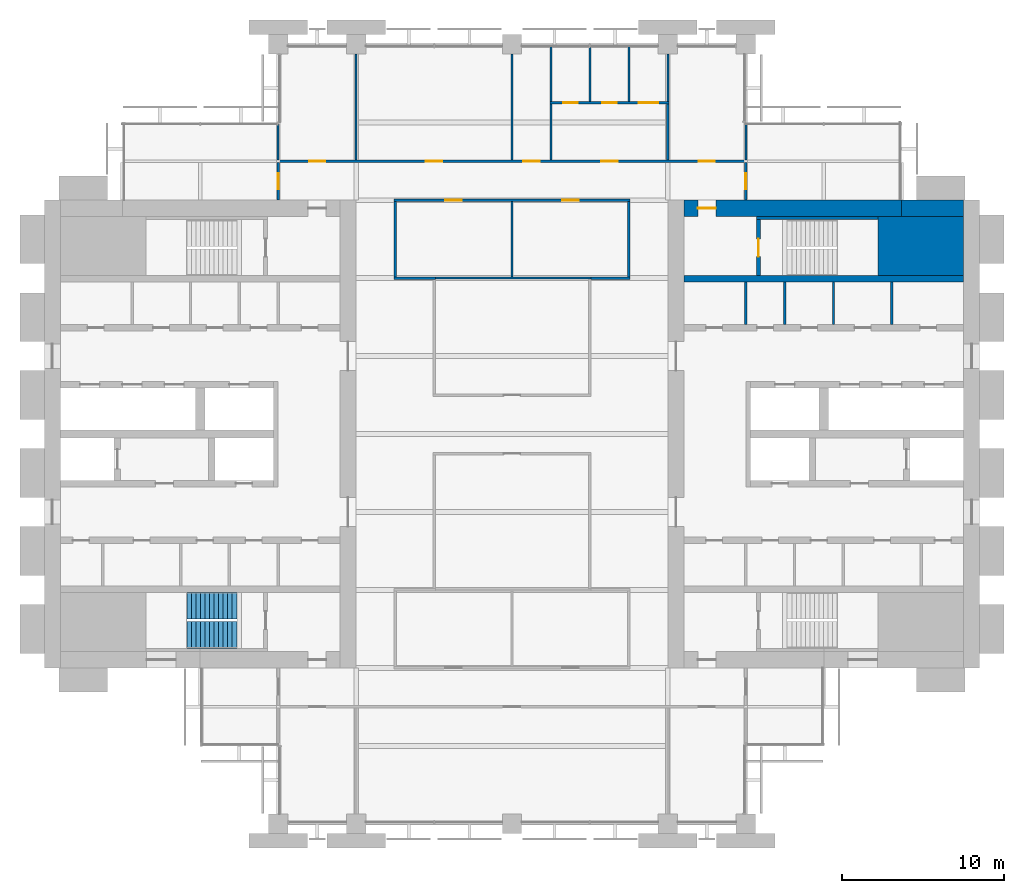
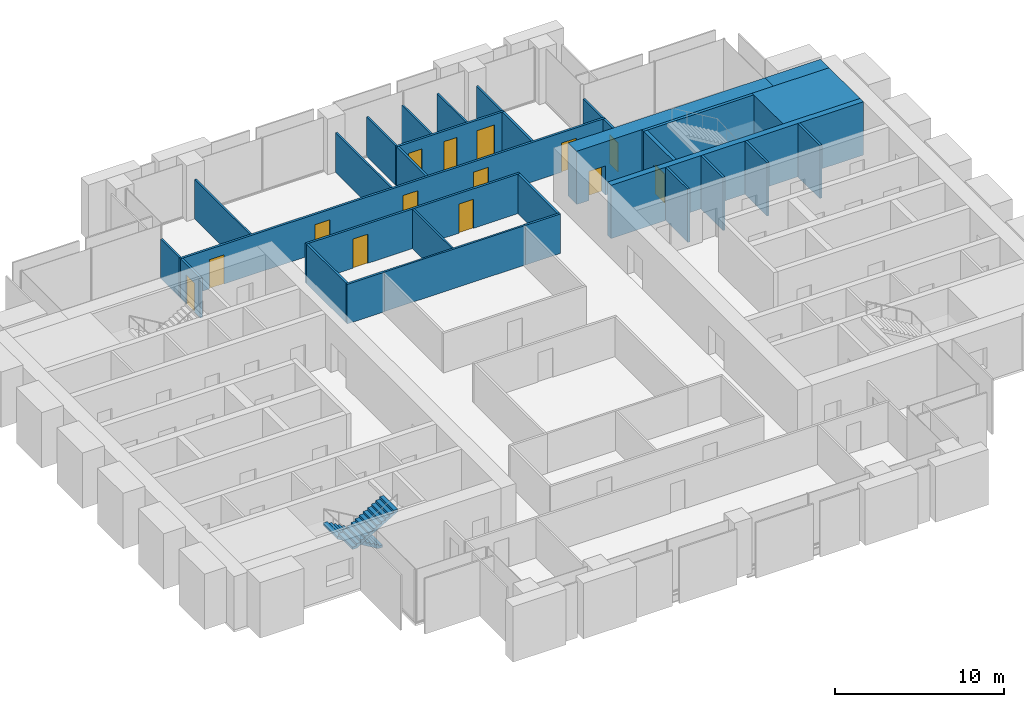
# One storey, part 12 of 14: 31 walls, 14 doors, 2 stair flights, 14 openings, 1 element without a shape of its own.
"""IFC4 building model written with IfcOpenShell, lengths in metres."""

from ifc_helpers import new_model, si_unit, direction, frame, frame_2d, origin, place, context, subcontext, project, spatial, polyline, rectangle, outline, extrude, material, layer, layer_set, type_object, element, fill, aggregate, save


model = new_model("IFC4")

# Units and contexts
model_context = context("Model", 3, precision=1e-05, world=origin(), true_north=direction((0.0, 1.0)))
body_context = subcontext(model_context, "Body", "Model", "MODEL_VIEW")
ifc_project = project(units=[si_unit("LENGTHUNIT", "METRE"), si_unit("AREAUNIT", "SQUARE_METRE"), si_unit("VOLUMEUNIT", "CUBIC_METRE"), si_unit("PLANEANGLEUNIT", "RADIAN"), si_unit("MASSUNIT", "GRAM", prefix="KILO")], contexts=[model_context])

# Site, building, storey
site_placement = place(None, origin())
site = spatial("IfcSite", under=ifc_project, at=site_placement, CompositionType="ELEMENT")
building_placement = place(site_placement, origin())
building = spatial("IfcBuilding", under=site, at=building_placement, Name="Baori Bourse Tower", CompositionType="ELEMENT")
storey_placement = place(building_placement, frame((0.0, 0.0, 124.10009765625)))
storey = spatial("IfcBuildingStorey", under=building, at=storey_placement, Name="L26", CompositionType="ELEMENT", Elevation=124.10009765625)

# Walls
ifc_material_1 = material(Name="Concrete f'c 60 MPa", Category="concrete")
wall_type_1 = type_object("IfcWallType", Name="Core corner block f'c 60", PredefinedType="SHEAR", material=ifc_material_1)
wall_1_placement = place(storey_placement, frame((51.35009765625, 35.574951171875, 0.0), z_axis=(0.0, 0.0, 1.0), x_axis=(1.0, 0.0, 0.0)))
element("IfcWall", 1, at=wall_1_placement, inside=storey, type_object=wall_type_1, Name="Core wall E28", PredefinedType="SHEAR", context=body_context, shape_type="SweptSolid", body=[
    extrude(rectangle(XDim=5.25, YDim=3.64990234375, at=frame_2d((2.625, 0.0))), origin(), (0.0, 0.0, 1.0), 3.83984375),
])
ifc_material_2 = material(Name="Blockwork partition", Category="masonry")
ifc_layer_1 = layer(ifc_material_2, 0.14990234375)
ifc_layer_set_1 = layer_set([ifc_layer_1], Name="Core partition 150")
wall_type_2 = type_object("IfcWallType", Name="Core partition 150", PredefinedType="PARTITIONING", material=ifc_layer_set_1)
for number, where, z_axis, x_axis, name in (
    (2, (52.199951171875, 30.75, 0.0), (0.0, 0.0, 1.0), (0.0, 1.0, 0.0), "Partition wall E23"),
    (3, (48.60009765625, 30.75, 0.0), (0.0, 0.0, 1.0), (0.0, 1.0, 0.0), "Partition wall E24"),
    (4, (45.60009765625, 30.75, 0.0), (0.0, 0.0, 1.0), (0.0, 1.0, 0.0), "Partition wall E25"),
    (5, (43.199951171875, 30.75, 0.0), (0.0, 0.0, 1.0), (0.0, 1.0, 0.0), "Partition wall E26"),
):
    element("IfcWall", number, at=place(storey_placement, frame(where, z_axis=z_axis, x_axis=x_axis)), inside=storey, type_object=wall_type_2, Name=name, PredefinedType="PARTITIONING", context=body_context, shape_type="SweptSolid", body=[
        extrude(rectangle(XDim=2.60009765625, YDim=0.14990234375, at=frame_2d((1.300048828125, 0.0))), origin(), (0.0, 0.0, 1.0), 3.83984375),
    ])
ifc_material_3 = material(Name="Concrete f'c 60 MPa", Category="concrete")
ifc_layer_2 = layer(ifc_material_3, 1.0)
ifc_layer_set_2 = layer_set([ifc_layer_2], Name="Core wall 1000 f'c 60")
wall_type_3 = type_object("IfcWallType", Name="Core wall 1000 f'c 60", PredefinedType="SHEAR", material=ifc_layer_set_2)
wall_2_placement = place(storey_placement, frame((52.800048828125, 37.89990234375, 0.0), z_axis=(0.0, 0.0, 1.0), x_axis=(1.0, 0.0, 0.0)))
element("IfcWall", 6, at=wall_2_placement, inside=storey, type_object=wall_type_3, Name="Core wall E31", PredefinedType="SHEAR", context=body_context, shape_type="SweptSolid", body=[
    extrude(rectangle(XDim=3.800048828125, YDim=1.0, at=frame_2d((1.89990234375, 0.0))), origin(), (0.0, 0.0, 1.0), 3.83984375),
])

# Wall, opening, door
wall_3_placement = place(storey_placement, frame((39.39990234375, 37.89990234375, 0.0), z_axis=(0.0, 0.0, 1.0), x_axis=(1.0, 0.0, 0.0)))
wall_3 = element("IfcWall", 7, at=wall_3_placement, inside=storey, type_object=wall_type_3, Name="Core wall E32", PredefinedType="SHEAR", context=body_context, shape_type="SweptSolid", body=[
    extrude(rectangle(XDim=13.400146484375, YDim=1.0, at=frame_2d((6.7001953125, 0.0))), origin(), (0.0, 0.0, 1.0), 3.83984375),
])
opening_1_placement = place(wall_3_placement, frame((0.85009765625, 0.0, 0.0)))
opening_1 = element("IfcOpeningElement", 8, at=opening_1_placement, cuts=wall_3, Name="Opening L26-D204", PredefinedType="OPENING", context=body_context, shape_type="SweptSolid", body=[
    extrude(rectangle(XDim=1.10009765625, YDim=2.10009765625, at=frame_2d((0.550048828125, 1.050048828125))), frame((0.0, 0.510009765625, 0.0), z_axis=(0.0, -1.0, 0.0), x_axis=(1.0, 0.0, 0.0)), (0.0, 0.0, 1.0), 1.02001953125),
])
ifc_material_4 = material(Name="Painted steel door", Category="steel")
door_type_1 = type_object("IfcDoorType", Name="Stair door 1100", OperationType="SINGLE_SWING_LEFT", PredefinedType="DOOR", material=ifc_material_4)
door_1_placement = place(opening_1_placement, origin())
door_1 = element("IfcDoor", 9, at=door_1_placement, inside=storey, type_object=door_type_1, Name="Stair vestibule door B E L26", OperationType="SINGLE_SWING_LEFT", OverallHeight=2.10009765625, OverallWidth=1.10009765625, PredefinedType="DOOR", context=body_context, shape_type="SweptSolid", body=[
    extrude(rectangle(XDim=1.10009765625, YDim=2.10009765625, at=frame_2d((0.550048828125, 1.050048828125))), frame((0.0, 0.02490234375, 0.0), z_axis=(0.0, -1.0, 0.0), x_axis=(1.0, 0.0, 0.0)), (0.0, 0.0, 1.0), 0.050048828125),
])
fill(opening_1, door_1)

# Walls
ifc_material_5 = material(Name="Gypsum board partition")
ifc_layer_3 = layer(ifc_material_5, 0.14990234375)
ifc_layer_set_3 = layer_set([ifc_layer_3], Name="Corridor partition 150")
wall_type_4 = type_object("IfcWallType", Name="Corridor partition 150", PredefinedType="PARTITIONING", material=ifc_layer_set_3)
wall_4_placement = place(storey_placement, frame((21.52490234375, 33.60009765625, 0.0), z_axis=(0.0, 0.0, 1.0), x_axis=(1.0, 0.0, 0.0)))
element("IfcWall", 10, at=wall_4_placement, inside=storey, type_object=wall_type_4, Name="Partition", PredefinedType="PARTITIONING", context=body_context, shape_type="SweptSolid", body=[
    extrude(rectangle(XDim=2.550048828125, YDim=0.14990234375, at=frame_2d((1.27490234375, 0.0))), origin(), (0.0, 0.0, 1.0), 2.849365234375),
])
wall_5_placement = place(storey_placement, frame((33.675048828125, 33.60009765625, 0.0), z_axis=(0.0, 0.0, 1.0), x_axis=(1.0, 0.0, 0.0)))
element("IfcWall", 11, at=wall_5_placement, inside=storey, type_object=wall_type_4, Name="Partition", PredefinedType="PARTITIONING", context=body_context, shape_type="SweptSolid", body=[
    extrude(rectangle(XDim=2.39990234375, YDim=0.14990234375, at=frame_2d((1.199951171875, 0.0))), origin(), (0.0, 0.0, 1.0), 2.849365234375),
])

# Wall, openings, doors
wall_6_placement = place(storey_placement, frame((21.52490234375, 38.39990234375, 0.0), z_axis=(0.0, 0.0, 1.0), x_axis=(1.0, 0.0, 0.0)))
wall_6 = element("IfcWall", 12, at=wall_6_placement, inside=storey, type_object=wall_type_4, Name="Partition", PredefinedType="PARTITIONING", context=body_context, shape_type="SweptSolid", body=[
    extrude(rectangle(XDim=14.550048828125, YDim=0.14990234375, at=frame_2d((7.27490234375, 0.0))), origin(), (0.0, 0.0, 1.0), 2.849365234375),
])
opening_2_placement = place(wall_6_placement, frame((3.175048828125, 0.0, 0.0)))
opening_2 = element("IfcOpeningElement", 13, at=opening_2_placement, cuts=wall_6, Name="Opening L26-D08", PredefinedType="OPENING", context=body_context, shape_type="SweptSolid", body=[
    extrude(rectangle(XDim=1.0, YDim=2.10009765625, at=frame_2d((0.5, 1.050048828125))), frame((0.0, 0.0849609375, 0.0), z_axis=(0.0, -1.0, 0.0), x_axis=(1.0, 0.0, 0.0)), (0.0, 0.0, 1.0), 0.169921875),
])
opening_3_placement = place(wall_6_placement, frame((10.375, 0.0, 0.0)))
opening_3 = element("IfcOpeningElement", 14, at=opening_3_placement, cuts=wall_6, Name="Opening L26-D09", PredefinedType="OPENING", context=body_context, shape_type="SweptSolid", body=[
    extrude(rectangle(XDim=1.0, YDim=2.10009765625, at=frame_2d((0.5, 1.050048828125))), frame((0.0, 0.0849609375, 0.0), z_axis=(0.0, -1.0, 0.0), x_axis=(1.0, 0.0, 0.0)), (0.0, 0.0, 1.0), 0.169921875),
])
ifc_material_6 = material(Name="Timber door leaf", Category="wood")
door_type_2 = type_object("IfcDoorType", Name="Door 1000 x 2100", OperationType="SINGLE_SWING_LEFT", PredefinedType="DOOR", material=ifc_material_6)
door_2_placement = place(opening_2_placement, origin())
door_2 = element("IfcDoor", 15, at=door_2_placement, inside=storey, type_object=door_type_2, Name="Door", OperationType="SINGLE_SWING_LEFT", OverallHeight=2.10009765625, OverallWidth=1.0, PredefinedType="DOOR", context=body_context, shape_type="SweptSolid", body=[
    extrude(rectangle(XDim=1.0, YDim=2.10009765625, at=frame_2d((0.5, 1.050048828125))), frame((0.0, 0.02490234375, 0.0), z_axis=(0.0, -1.0, 0.0), x_axis=(1.0, 0.0, 0.0)), (0.0, 0.0, 1.0), 0.050048828125),
])
fill(opening_2, door_2)
door_3_placement = place(opening_3_placement, origin())
door_3 = element("IfcDoor", 16, at=door_3_placement, inside=storey, type_object=door_type_2, Name="Door", OperationType="SINGLE_SWING_RIGHT", OverallHeight=2.10009765625, OverallWidth=1.0, PredefinedType="DOOR", context=body_context, shape_type="SweptSolid", body=[
    extrude(rectangle(XDim=1.0, YDim=2.10009765625, at=frame_2d((0.5, 1.050048828125))), frame((0.0, 0.02490234375, 0.0), z_axis=(0.0, -1.0, 0.0), x_axis=(1.0, 0.0, 0.0)), (0.0, 0.0, 1.0), 0.050048828125),
])
fill(opening_3, door_3)

wall_7_placement = place(storey_placement, frame((14.324951171875, 40.800048828125, 0.0), z_axis=(0.0, 0.0, 1.0), x_axis=(1.0, 0.0, 0.0)))
wall_7 = element("IfcWall", 17, at=wall_7_placement, inside=storey, type_object=wall_type_4, Name="Partition", PredefinedType="PARTITIONING", context=body_context, shape_type="SweptSolid", body=[
    extrude(rectangle(XDim=28.949951171875, YDim=0.14990234375, at=frame_2d((14.47509765625, 0.0))), origin(), (0.0, 0.0, 1.0), 2.849365234375),
])
opening_4_placement = place(wall_7_placement, frame((1.97509765625, 0.0, 0.0)))
opening_4 = element("IfcOpeningElement", 18, at=opening_4_placement, cuts=wall_7, Name="Opening L26-D10", PredefinedType="OPENING", context=body_context, shape_type="SweptSolid", body=[
    extrude(rectangle(XDim=1.0, YDim=2.10009765625, at=frame_2d((0.5, 1.050048828125))), frame((0.0, 0.0849609375, 0.0), z_axis=(0.0, -1.0, 0.0), x_axis=(1.0, 0.0, 0.0)), (0.0, 0.0, 1.0), 0.169921875),
])
opening_5_placement = place(wall_7_placement, frame((9.175048828125, 0.0, 0.0)))
opening_5 = element("IfcOpeningElement", 19, at=opening_5_placement, cuts=wall_7, Name="Opening L26-D11", PredefinedType="OPENING", context=body_context, shape_type="SweptSolid", body=[
    extrude(rectangle(XDim=1.0, YDim=2.10009765625, at=frame_2d((0.5, 1.050048828125))), frame((0.0, 0.0849609375, 0.0), z_axis=(0.0, -1.0, 0.0), x_axis=(1.0, 0.0, 0.0)), (0.0, 0.0, 1.0), 0.169921875),
])
opening_6_placement = place(wall_7_placement, frame((15.175048828125, 0.0, 0.0)))
opening_6 = element("IfcOpeningElement", 20, at=opening_6_placement, cuts=wall_7, Name="Opening L26-D12", PredefinedType="OPENING", context=body_context, shape_type="SweptSolid", body=[
    extrude(rectangle(XDim=1.0, YDim=2.10009765625, at=frame_2d((0.5, 1.050048828125))), frame((0.0, 0.0849609375, 0.0), z_axis=(0.0, -1.0, 0.0), x_axis=(1.0, 0.0, 0.0)), (0.0, 0.0, 1.0), 0.169921875),
])
opening_7_placement = place(wall_7_placement, frame((19.97509765625, 0.0, 0.0)))
opening_7 = element("IfcOpeningElement", 21, at=opening_7_placement, cuts=wall_7, Name="Opening L26-D13", PredefinedType="OPENING", context=body_context, shape_type="SweptSolid", body=[
    extrude(rectangle(XDim=1.0, YDim=2.10009765625, at=frame_2d((0.5, 1.050048828125))), frame((0.0, 0.0849609375, 0.0), z_axis=(0.0, -1.0, 0.0), x_axis=(1.0, 0.0, 0.0)), (0.0, 0.0, 1.0), 0.169921875),
])
opening_8_placement = place(wall_7_placement, frame((25.97509765625, 0.0, 0.0)))
opening_8 = element("IfcOpeningElement", 22, at=opening_8_placement, cuts=wall_7, Name="Opening L26-D14", PredefinedType="OPENING", context=body_context, shape_type="SweptSolid", body=[
    extrude(rectangle(XDim=1.0, YDim=2.10009765625, at=frame_2d((0.5, 1.050048828125))), frame((0.0, 0.0849609375, 0.0), z_axis=(0.0, -1.0, 0.0), x_axis=(1.0, 0.0, 0.0)), (0.0, 0.0, 1.0), 0.169921875),
])
door_4_placement = place(opening_4_placement, origin())
door_4 = element("IfcDoor", 23, at=door_4_placement, inside=storey, type_object=door_type_2, Name="Door", OperationType="SINGLE_SWING_RIGHT", OverallHeight=2.10009765625, OverallWidth=1.0, PredefinedType="DOOR", context=body_context, shape_type="SweptSolid", body=[
    extrude(rectangle(XDim=1.0, YDim=2.10009765625, at=frame_2d((0.5, 1.050048828125))), frame((0.0, 0.02490234375, 0.0), z_axis=(0.0, -1.0, 0.0), x_axis=(1.0, 0.0, 0.0)), (0.0, 0.0, 1.0), 0.050048828125),
])
fill(opening_4, door_4)
door_5_placement = place(opening_5_placement, origin())
door_5 = element("IfcDoor", 24, at=door_5_placement, inside=storey, type_object=door_type_2, Name="Door", OperationType="SINGLE_SWING_RIGHT", OverallHeight=2.10009765625, OverallWidth=1.0, PredefinedType="DOOR", context=body_context, shape_type="SweptSolid", body=[
    extrude(rectangle(XDim=1.0, YDim=2.10009765625, at=frame_2d((0.5, 1.050048828125))), frame((0.0, 0.02490234375, 0.0), z_axis=(0.0, -1.0, 0.0), x_axis=(1.0, 0.0, 0.0)), (0.0, 0.0, 1.0), 0.050048828125),
])
fill(opening_5, door_5)
door_6_placement = place(opening_6_placement, origin())
door_6 = element("IfcDoor", 25, at=door_6_placement, inside=storey, type_object=door_type_2, Name="Door", OperationType="SINGLE_SWING_LEFT", OverallHeight=2.10009765625, OverallWidth=1.0, PredefinedType="DOOR", context=body_context, shape_type="SweptSolid", body=[
    extrude(rectangle(XDim=1.0, YDim=2.10009765625, at=frame_2d((0.5, 1.050048828125))), frame((0.0, 0.02490234375, 0.0), z_axis=(0.0, -1.0, 0.0), x_axis=(1.0, 0.0, 0.0)), (0.0, 0.0, 1.0), 0.050048828125),
])
fill(opening_6, door_6)
door_7_placement = place(opening_7_placement, origin())
door_7 = element("IfcDoor", 26, at=door_7_placement, inside=storey, type_object=door_type_2, Name="Door", OperationType="SINGLE_SWING_RIGHT", OverallHeight=2.10009765625, OverallWidth=1.0, PredefinedType="DOOR", context=body_context, shape_type="SweptSolid", body=[
    extrude(rectangle(XDim=1.0, YDim=2.10009765625, at=frame_2d((0.5, 1.050048828125))), frame((0.0, 0.02490234375, 0.0), z_axis=(0.0, -1.0, 0.0), x_axis=(1.0, 0.0, 0.0)), (0.0, 0.0, 1.0), 0.050048828125),
])
fill(opening_7, door_7)
door_8_placement = place(opening_8_placement, origin())
door_8 = element("IfcDoor", 27, at=door_8_placement, inside=storey, type_object=door_type_2, Name="Door", OperationType="SINGLE_SWING_LEFT", OverallHeight=2.10009765625, OverallWidth=1.0, PredefinedType="DOOR", context=body_context, shape_type="SweptSolid", body=[
    extrude(rectangle(XDim=1.0, YDim=2.10009765625, at=frame_2d((0.5, 1.050048828125))), frame((0.0, 0.02490234375, 0.0), z_axis=(0.0, -1.0, 0.0), x_axis=(1.0, 0.0, 0.0)), (0.0, 0.0, 1.0), 0.050048828125),
])
fill(opening_8, door_8)

wall_8_placement = place(storey_placement, frame((31.125, 44.39990234375, 0.0), z_axis=(0.0, 0.0, 1.0), x_axis=(1.0, 0.0, 0.0)))
wall_8 = element("IfcWall", 28, at=wall_8_placement, inside=storey, type_object=wall_type_4, Name="Partition", PredefinedType="PARTITIONING", context=body_context, shape_type="SweptSolid", body=[
    extrude(rectangle(XDim=7.35009765625, YDim=0.14990234375, at=frame_2d((3.675048828125, 0.0))), origin(), (0.0, 0.0, 1.0), 2.849365234375),
])
opening_9_placement = place(wall_8_placement, frame((0.824951171875, 0.0, 0.0)))
opening_9 = element("IfcOpeningElement", 29, at=opening_9_placement, cuts=wall_8, Name="Opening L26-D15", PredefinedType="OPENING", context=body_context, shape_type="SweptSolid", body=[
    extrude(rectangle(XDim=0.89990234375, YDim=2.10009765625, at=frame_2d((0.449951171875, 1.050048828125))), frame((0.0, 0.0849609375, 0.0), z_axis=(0.0, -1.0, 0.0), x_axis=(1.0, 0.0, 0.0)), (0.0, 0.0, 1.0), 0.169921875),
])
opening_10_placement = place(wall_8_placement, frame((3.22509765625, 0.0, 0.0)))
opening_10 = element("IfcOpeningElement", 30, at=opening_10_placement, cuts=wall_8, Name="Opening L26-D16", PredefinedType="OPENING", context=body_context, shape_type="SweptSolid", body=[
    extrude(rectangle(XDim=0.89990234375, YDim=2.10009765625, at=frame_2d((0.449951171875, 1.050048828125))), frame((0.0, 0.0849609375, 0.0), z_axis=(0.0, -1.0, 0.0), x_axis=(1.0, 0.0, 0.0)), (0.0, 0.0, 1.0), 0.169921875),
])
opening_11_placement = place(wall_8_placement, frame((5.47509765625, 0.0, 0.0)))
opening_11 = element("IfcOpeningElement", 31, at=opening_11_placement, cuts=wall_8, Name="Opening L26-D17", PredefinedType="OPENING", context=body_context, shape_type="SweptSolid", body=[
    extrude(rectangle(XDim=1.199951171875, YDim=2.10009765625, at=frame_2d((0.60009765625, 1.050048828125))), frame((0.0, 0.0849609375, 0.0), z_axis=(0.0, -1.0, 0.0), x_axis=(1.0, 0.0, 0.0)), (0.0, 0.0, 1.0), 0.169921875),
])
ifc_material_7 = material(Name="Timber door leaf", Category="wood")
door_type_3 = type_object("IfcDoorType", Name="Door 1200 x 2100", OperationType="SINGLE_SWING_LEFT", PredefinedType="DOOR", material=ifc_material_7)
door_9_placement = place(opening_11_placement, origin())
door_9 = element("IfcDoor", 32, at=door_9_placement, inside=storey, type_object=door_type_3, Name="Door", OperationType="SINGLE_SWING_LEFT", OverallHeight=2.10009765625, OverallWidth=1.199951171875, PredefinedType="DOOR", context=body_context, shape_type="SweptSolid", body=[
    extrude(rectangle(XDim=1.199951171875, YDim=2.10009765625, at=frame_2d((0.60009765625, 1.050048828125))), frame((0.0, 0.02490234375, 0.0), z_axis=(0.0, -1.0, 0.0), x_axis=(1.0, 0.0, 0.0)), (0.0, 0.0, 1.0), 0.050048828125),
])
fill(opening_11, door_9)
ifc_material_8 = material(Name="Timber door leaf", Category="wood")
door_type_4 = type_object("IfcDoorType", Name="Door 900 x 2100", OperationType="SINGLE_SWING_LEFT", PredefinedType="DOOR", material=ifc_material_8)
door_10_placement = place(opening_9_placement, origin())
door_10 = element("IfcDoor", 33, at=door_10_placement, inside=storey, type_object=door_type_4, Name="Door", OperationType="SINGLE_SWING_RIGHT", OverallHeight=2.10009765625, OverallWidth=0.89990234375, PredefinedType="DOOR", context=body_context, shape_type="SweptSolid", body=[
    extrude(rectangle(XDim=0.89990234375, YDim=2.10009765625, at=frame_2d((0.449951171875, 1.050048828125))), frame((0.0, 0.02490234375, 0.0), z_axis=(0.0, -1.0, 0.0), x_axis=(1.0, 0.0, 0.0)), (0.0, 0.0, 1.0), 0.050048828125),
])
fill(opening_9, door_10)
door_11_placement = place(opening_10_placement, origin())
door_11 = element("IfcDoor", 34, at=door_11_placement, inside=storey, type_object=door_type_4, Name="Door", OperationType="SINGLE_SWING_RIGHT", OverallHeight=2.10009765625, OverallWidth=0.89990234375, PredefinedType="DOOR", context=body_context, shape_type="SweptSolid", body=[
    extrude(rectangle(XDim=0.89990234375, YDim=2.10009765625, at=frame_2d((0.449951171875, 1.050048828125))), frame((0.0, 0.02490234375, 0.0), z_axis=(0.0, -1.0, 0.0), x_axis=(1.0, 0.0, 0.0)), (0.0, 0.0, 1.0), 0.050048828125),
])
fill(opening_10, door_11)

# Wall, opening, door
wall_9_placement = place(storey_placement, frame((14.39990234375, 38.39990234375, 0.0), z_axis=(0.0, 0.0, 1.0), x_axis=(0.0, 1.0, 0.0)))
wall_9 = element("IfcWall", 35, at=wall_9_placement, inside=storey, type_object=wall_type_4, Name="Partition", PredefinedType="PARTITIONING", context=body_context, shape_type="SweptSolid", body=[
    extrude(rectangle(XDim=2.3251953125, YDim=0.14990234375, at=frame_2d((1.16259765625, 0.0))), origin(), (0.0, 0.0, 1.0), 2.849365234375),
])
opening_12_placement = place(wall_9_placement, frame((0.66259765625, 0.0, 0.0)))
opening_12 = element("IfcOpeningElement", 36, at=opening_12_placement, cuts=wall_9, Name="Opening L26-D19", PredefinedType="OPENING", context=body_context, shape_type="SweptSolid", body=[
    extrude(rectangle(XDim=1.0, YDim=2.10009765625, at=frame_2d((0.5, 1.050048828125))), frame((0.0, 0.0849609375, 0.0), z_axis=(0.0, -1.0, 0.0), x_axis=(1.0, 0.0, 0.0)), (0.0, 0.0, 1.0), 0.169921875),
])
door_12_placement = place(opening_12_placement, origin())
door_12 = element("IfcDoor", 37, at=door_12_placement, inside=storey, type_object=door_type_2, Name="Door", OperationType="SINGLE_SWING_RIGHT", OverallHeight=2.10009765625, OverallWidth=1.0, PredefinedType="DOOR", context=body_context, shape_type="SweptSolid", body=[
    extrude(rectangle(XDim=1.0, YDim=2.10009765625, at=frame_2d((0.5, 1.050048828125))), frame((0.0, 0.02490234375, 0.0), z_axis=(0.0, -1.0, 0.0), x_axis=(1.0, 0.0, 0.0)), (0.0, 0.0, 1.0), 0.050048828125),
])
fill(opening_12, door_12)

# Walls
wall_10_placement = place(storey_placement, frame((21.60009765625, 33.675048828125, 0.0), z_axis=(0.0, 0.0, 1.0), x_axis=(0.0, 1.0, 0.0)))
element("IfcWall", 38, at=wall_10_placement, inside=storey, type_object=wall_type_4, Name="Partition", PredefinedType="PARTITIONING", context=body_context, shape_type="SweptSolid", body=[
    extrude(rectangle(XDim=4.64990234375, YDim=0.14990234375, at=frame_2d((2.324951171875, 0.0))), origin(), (0.0, 0.0, 1.0), 2.849365234375),
])
wall_11_placement = place(storey_placement, frame((31.199951171875, 40.875, 0.0), z_axis=(0.0, 0.0, 1.0), x_axis=(0.0, 1.0, 0.0)))
element("IfcWall", 39, at=wall_11_placement, inside=storey, type_object=wall_type_4, Name="Partition", PredefinedType="PARTITIONING", context=body_context, shape_type="SweptSolid", body=[
    extrude(rectangle(XDim=3.449951171875, YDim=0.14990234375, at=frame_2d((1.72509765625, 0.0))), origin(), (0.0, 0.0, 1.0), 2.849365234375),
])
wall_12_placement = place(storey_placement, frame((36.0, 33.675048828125, 0.0), z_axis=(0.0, 0.0, 1.0), x_axis=(0.0, 1.0, 0.0)))
element("IfcWall", 40, at=wall_12_placement, inside=storey, type_object=wall_type_4, Name="Partition", PredefinedType="PARTITIONING", context=body_context, shape_type="SweptSolid", body=[
    extrude(rectangle(XDim=4.64990234375, YDim=0.14990234375, at=frame_2d((2.324951171875, 0.0))), origin(), (0.0, 0.0, 1.0), 2.849365234375),
])
wall_13_placement = place(storey_placement, frame((38.39990234375, 40.875, 0.0), z_axis=(0.0, 0.0, 1.0), x_axis=(0.0, 1.0, 0.0)))
element("IfcWall", 41, at=wall_13_placement, inside=storey, type_object=wall_type_4, Name="Partition", PredefinedType="PARTITIONING", context=body_context, shape_type="SweptSolid", body=[
    extrude(rectangle(XDim=3.449951171875, YDim=0.14990234375, at=frame_2d((1.72509765625, 0.0))), origin(), (0.0, 0.0, 1.0), 2.849365234375),
])

# Wall, opening, door
wall_14_placement = place(storey_placement, frame((43.199951171875, 38.39990234375, 0.0), z_axis=(0.0, 0.0, 1.0), x_axis=(0.0, 1.0, 0.0)))
wall_14 = element("IfcWall", 42, at=wall_14_placement, inside=storey, type_object=wall_type_4, Name="Partition", PredefinedType="PARTITIONING", context=body_context, shape_type="SweptSolid", body=[
    extrude(rectangle(XDim=2.3251953125, YDim=0.14990234375, at=frame_2d((1.16259765625, 0.0))), origin(), (0.0, 0.0, 1.0), 2.849365234375),
])
opening_13_placement = place(wall_14_placement, frame((0.66259765625, 0.0, 0.0)))
opening_13 = element("IfcOpeningElement", 43, at=opening_13_placement, cuts=wall_14, Name="Opening L26-D21", PredefinedType="OPENING", context=body_context, shape_type="SweptSolid", body=[
    extrude(rectangle(XDim=1.0, YDim=2.10009765625, at=frame_2d((0.5, 1.050048828125))), frame((0.0, 0.0849609375, 0.0), z_axis=(0.0, -1.0, 0.0), x_axis=(1.0, 0.0, 0.0)), (0.0, 0.0, 1.0), 0.169921875),
])
door_13_placement = place(opening_13_placement, origin())
door_13 = element("IfcDoor", 44, at=door_13_placement, inside=storey, type_object=door_type_2, Name="Door", OperationType="SINGLE_SWING_LEFT", OverallHeight=2.10009765625, OverallWidth=1.0, PredefinedType="DOOR", context=body_context, shape_type="SweptSolid", body=[
    extrude(rectangle(XDim=1.0, YDim=2.10009765625, at=frame_2d((0.5, 1.050048828125))), frame((0.0, 0.02490234375, 0.0), z_axis=(0.0, -1.0, 0.0), x_axis=(1.0, 0.0, 0.0)), (0.0, 0.0, 1.0), 0.050048828125),
])
fill(opening_13, door_13)

# Walls
ifc_material_9 = material(Name="Gypsum board partition")
ifc_layer_4 = layer(ifc_material_9, 0.125)
ifc_layer_set_4 = layer_set([ifc_layer_4], Name="Partition 125")
wall_type_5 = type_object("IfcWallType", Name="Partition 125", PredefinedType="PARTITIONING", material=ifc_layer_set_4)
wall_15_placement = place(storey_placement, frame((24.074951171875, 33.60009765625, 0.0), z_axis=(0.0, 0.0, 1.0), x_axis=(1.0, 0.0, 0.0)))
element("IfcWall", 45, at=wall_15_placement, inside=storey, type_object=wall_type_5, Name="Partition", PredefinedType="PARTITIONING", context=body_context, shape_type="SweptSolid", body=[
    extrude(rectangle(XDim=9.60009765625, YDim=0.125, at=frame_2d((4.800048828125, 0.0))), origin(), (0.0, 0.0, 1.0), 2.849365234375),
])
wall_16_placement = place(storey_placement, frame((14.39990234375, 40.875, 0.0), z_axis=(0.0, 0.0, 1.0), x_axis=(0.0, 1.0, 0.0)))
element("IfcWall", 46, at=wall_16_placement, inside=storey, type_object=wall_type_5, Name="Partition", PredefinedType="PARTITIONING", context=body_context, shape_type="SweptSolid", body=[
    extrude(rectangle(XDim=2.22509765625, YDim=0.125, at=frame_2d((1.112548828125, 0.0))), origin(), (0.0, 0.0, 1.0), 2.849365234375),
])
wall_17_placement = place(storey_placement, frame((19.199951171875, 40.875, 0.0), z_axis=(0.0, 0.0, 1.0), x_axis=(0.0, 1.0, 0.0)))
element("IfcWall", 47, at=wall_17_placement, inside=storey, type_object=wall_type_5, Name="Partition", PredefinedType="PARTITIONING", context=body_context, shape_type="SweptSolid", body=[
    extrude(rectangle(XDim=6.52490234375, YDim=0.125, at=frame_2d((3.262451171875, 0.0))), origin(), (0.0, 0.0, 1.0), 2.849365234375),
])
wall_18_placement = place(storey_placement, frame((28.800048828125, 33.66259765625, 0.0), z_axis=(0.0, 0.0, 1.0), x_axis=(0.0, 1.0, 0.0)))
element("IfcWall", 48, at=wall_18_placement, inside=storey, type_object=wall_type_5, Name="Partition", PredefinedType="PARTITIONING", context=body_context, shape_type="SweptSolid", body=[
    extrude(rectangle(XDim=4.662353515625, YDim=0.125, at=frame_2d((2.3310546875, 0.0))), origin(), (0.0, 0.0, 1.0), 2.849365234375),
])
wall_19_placement = place(storey_placement, frame((28.800048828125, 40.875, 0.0), z_axis=(0.0, 0.0, 1.0), x_axis=(0.0, 1.0, 0.0)))
element("IfcWall", 49, at=wall_19_placement, inside=storey, type_object=wall_type_5, Name="Partition", PredefinedType="PARTITIONING", context=body_context, shape_type="SweptSolid", body=[
    extrude(rectangle(XDim=6.52490234375, YDim=0.125, at=frame_2d((3.262451171875, 0.0))), origin(), (0.0, 0.0, 1.0), 2.849365234375),
])
for number, where, z_axis, x_axis, name in (
    (50, (31.199951171875, 44.47509765625, 0.0), (0.0, 0.0, 1.0), (0.0, 1.0, 0.0), "Partition"),
    (51, (33.60009765625, 44.47509765625, 0.0), (0.0, 0.0, 1.0), (0.0, 1.0, 0.0), "Partition"),
    (52, (36.0, 44.47509765625, 0.0), (0.0, 0.0, 1.0), (0.0, 1.0, 0.0), "Partition"),
):
    element("IfcWall", number, at=place(storey_placement, frame(where, z_axis=z_axis, x_axis=x_axis)), inside=storey, type_object=wall_type_5, Name=name, PredefinedType="PARTITIONING", context=body_context, shape_type="SweptSolid", body=[
        extrude(rectangle(XDim=3.4248046875, YDim=0.125, at=frame_2d((1.71240234375, 0.0))), origin(), (0.0, 0.0, 1.0), 2.849365234375),
    ])
wall_20_placement = place(storey_placement, frame((38.39990234375, 44.47509765625, 0.0), z_axis=(0.0, 0.0, 1.0), x_axis=(0.0, 1.0, 0.0)))
element("IfcWall", 53, at=wall_20_placement, inside=storey, type_object=wall_type_5, Name="Partition", PredefinedType="PARTITIONING", context=body_context, shape_type="SweptSolid", body=[
    extrude(rectangle(XDim=2.9248046875, YDim=0.125, at=frame_2d((1.46240234375, 0.0))), origin(), (0.0, 0.0, 1.0), 2.849365234375),
])
wall_21_placement = place(storey_placement, frame((43.199951171875, 40.875, 0.0), z_axis=(0.0, 0.0, 1.0), x_axis=(0.0, 1.0, 0.0)))
element("IfcWall", 54, at=wall_21_placement, inside=storey, type_object=wall_type_5, Name="Partition", PredefinedType="PARTITIONING", context=body_context, shape_type="SweptSolid", body=[
    extrude(rectangle(XDim=2.22509765625, YDim=0.125, at=frame_2d((1.112548828125, 0.0))), origin(), (0.0, 0.0, 1.0), 2.849365234375),
])
ifc_material_10 = material(Name="Concrete f'c 60 MPa", Category="concrete")
ifc_layer_5 = layer(ifc_material_10, 0.199951171875)
ifc_layer_set_5 = layer_set([ifc_layer_5], Name="Shaft wall 200 f'c 60")
wall_type_6 = type_object("IfcWallType", Name="Shaft wall 200 f'c 60", PredefinedType="SHEAR", material=ifc_layer_set_5)
wall_22_placement = place(storey_placement, frame((43.85009765625, 37.300048828125, 0.0), z_axis=(0.0, 0.0, 1.0), x_axis=(1.0, 0.0, 0.0)))
element("IfcWall", 55, at=wall_22_placement, inside=storey, type_object=wall_type_6, Name="Core wall E30", PredefinedType="SHEAR", context=body_context, shape_type="SweptSolid", body=[
    extrude(rectangle(XDim=7.5, YDim=0.199951171875, at=frame_2d((3.75, 0.0))), origin(), (0.0, 0.0, 1.0), 3.83984375),
])

# Wall, opening, door
ifc_material_11 = material(Name="Concrete f'c 60 MPa", Category="concrete")
ifc_layer_6 = layer(ifc_material_11, 0.25)
ifc_layer_set_6 = layer_set([ifc_layer_6], Name="Shaft wall 250 f'c 60")
wall_type_7 = type_object("IfcWallType", Name="Shaft wall 250 f'c 60", PredefinedType="SHEAR", material=ifc_layer_set_6)
wall_23_placement = place(storey_placement, frame((43.97509765625, 33.75, 0.0), z_axis=(0.0, 0.0, 1.0), x_axis=(0.0, 1.0, 0.0)))
wall_23 = element("IfcWall", 56, at=wall_23_placement, inside=storey, type_object=wall_type_7, Name="Core wall E29", PredefinedType="SHEAR", context=body_context, shape_type="SweptSolid", body=[
    extrude(rectangle(XDim=3.449951171875, YDim=0.25, at=frame_2d((1.72509765625, 0.0))), origin(), (0.0, 0.0, 1.0), 3.83984375),
])
opening_14_placement = place(wall_23_placement, frame((1.175048828125, 0.0, 0.0)))
opening_14 = element("IfcOpeningElement", 57, at=opening_14_placement, cuts=wall_23, Name="Opening L26-D203", PredefinedType="OPENING", context=body_context, shape_type="SweptSolid", body=[
    extrude(rectangle(XDim=1.10009765625, YDim=2.10009765625, at=frame_2d((0.550048828125, 1.050048828125))), frame((0.0, 0.135009765625, 0.0), z_axis=(0.0, -1.0, 0.0), x_axis=(1.0, 0.0, 0.0)), (0.0, 0.0, 1.0), 0.27001953125),
])
door_14_placement = place(opening_14_placement, origin())
door_14 = element("IfcDoor", 58, at=door_14_placement, inside=storey, type_object=door_type_1, Name="Stair door B E L26", OperationType="SINGLE_SWING_LEFT", OverallHeight=2.10009765625, OverallWidth=1.10009765625, PredefinedType="DOOR", context=body_context, shape_type="SweptSolid", body=[
    extrude(rectangle(XDim=1.10009765625, YDim=2.10009765625, at=frame_2d((0.550048828125, 1.050048828125))), frame((0.0, 0.02490234375, 0.0), z_axis=(0.0, -1.0, 0.0), x_axis=(1.0, 0.0, 0.0)), (0.0, 0.0, 1.0), 0.050048828125),
])
fill(opening_14, door_14)

# Wall
ifc_material_12 = material(Name="Concrete f'c 60 MPa", Category="concrete")
ifc_layer_7 = layer(ifc_material_12, 0.39990234375)
ifc_layer_set_7 = layer_set([ifc_layer_7], Name="Shaft wall 400 f'c 60")
wall_type_8 = type_object("IfcWallType", Name="Shaft wall 400 f'c 60", PredefinedType="SHEAR", material=ifc_layer_set_7)
wall_24_placement = place(storey_placement, frame((39.39990234375, 33.550048828125, 0.0), z_axis=(0.0, 0.0, 1.0), x_axis=(1.0, 0.0, 0.0)))
element("IfcWall", 59, at=wall_24_placement, inside=storey, type_object=wall_type_8, Name="Core wall E27", PredefinedType="SHEAR", context=body_context, shape_type="SweptSolid", body=[
    extrude(rectangle(XDim=17.2001953125, YDim=0.39990234375, at=frame_2d((8.60009765625, 0.0))), origin(), (0.0, 0.0, 1.0), 3.83984375),
])

# Stair, stair flights
ifc_material_13 = material(Name="Concrete f'c 50 MPa", Category="concrete")
stair_type = type_object("IfcStairType", Name="Core stair", PredefinedType="HALF_TURN_STAIR", material=ifc_material_13)
stair_placement = place(storey_placement, origin())
stair = element("IfcStair", 60, at=stair_placement, inside=storey, type_object=stair_type, Name="L26 Stair WA", PredefinedType="HALF_TURN_STAIR")
ifc_material_14 = material(Name="Concrete f'c 50 MPa", Category="concrete")
stair_flight_type = type_object("IfcStairFlightType", Name="Core stair flight", PredefinedType="STRAIGHT", material=ifc_material_14)
stair_flight_1_placement = place(storey_placement, frame((11.85009765625, 13.425048828125, 0.0), z_axis=(0.0, 0.0, 1.0), x_axis=(-1.0, 0.0, 0.0)))
stair_flight_1 = element("IfcStairFlight", 61, at=stair_flight_1_placement, type_object=stair_flight_type, Name="ST1 flight 1", NumberOfRisers=12, NumberOfTreads=11, PredefinedType="STRAIGHT", RiserHeight=0.166666667, TreadLength=0.28, context=body_context, shape_type="SweptSolid", body=[
    extrude(outline(polyline([(0.0, 0.0), (0.0, 0.166748046875), (0.280029296875, 0.166748046875), (0.280029296875, 0.333251953125), (0.56005859375, 0.333251953125), (0.56005859375, 0.5), (0.840087890625, 0.5), (0.840087890625, 0.666748046875), (1.1201171875, 0.666748046875), (1.1201171875, 0.833251953125), (1.39990234375, 0.833251953125), (1.39990234375, 1.0), (1.679931640625, 1.0), (1.679931640625, 1.166748046875), (1.9599609375, 1.166748046875), (1.9599609375, 1.333251953125), (2.239990234375, 1.333251953125), (2.239990234375, 1.5), (2.52001953125, 1.5), (2.52001953125, 1.666748046875), (2.800048828125, 1.666748046875), (2.800048828125, 1.833251953125), (3.080078125, 1.833251953125), (3.080078125, 2.0), (3.080078125, 1.658935546875), (0.29296875, 0.0), (0.0, 0.0)])), frame((0.0, 0.824951171875, 0.0), z_axis=(0.0, -1.0, 0.0), x_axis=(1.0, 0.0, 0.0)), (0.0, 0.0, 1.0), 1.64990234375),
])
stair_flight_2_placement = place(storey_placement, frame((8.77001953125, 11.625, 2.0), z_axis=(0.0, 0.0, 1.0), x_axis=(1.0, 0.0, 0.0)))
stair_flight_2 = element("IfcStairFlight", 62, at=stair_flight_2_placement, type_object=stair_flight_type, Name="ST1 flight 2", NumberOfRisers=12, NumberOfTreads=11, PredefinedType="STRAIGHT", RiserHeight=0.166666667, TreadLength=0.28, context=body_context, shape_type="SweptSolid", body=[
    extrude(outline(polyline([(0.0, 0.0), (0.0, 0.166748046875), (0.280029296875, 0.166748046875), (0.280029296875, 0.333251953125), (0.56005859375, 0.333251953125), (0.56005859375, 0.5), (0.840087890625, 0.5), (0.840087890625, 0.666748046875), (1.1201171875, 0.666748046875), (1.1201171875, 0.833251953125), (1.39990234375, 0.833251953125), (1.39990234375, 1.0), (1.679931640625, 1.0), (1.679931640625, 1.166748046875), (1.9599609375, 1.166748046875), (1.9599609375, 1.333251953125), (2.239990234375, 1.333251953125), (2.239990234375, 1.5), (2.52001953125, 1.5), (2.52001953125, 1.666748046875), (2.800048828125, 1.666748046875), (2.800048828125, 1.833251953125), (3.080078125, 1.833251953125), (3.080078125, 2.0), (3.080078125, 1.658935546875), (0.29296875, 0.0), (0.0, 0.0)])), frame((0.0, 0.824951171875, 0.0), z_axis=(0.0, -1.0, 0.0), x_axis=(1.0, 0.0, 0.0)), (0.0, 0.0, 1.0), 1.64990234375),
])
aggregate(stair, [stair_flight_1, stair_flight_2])

save(model, "model.ifc")
